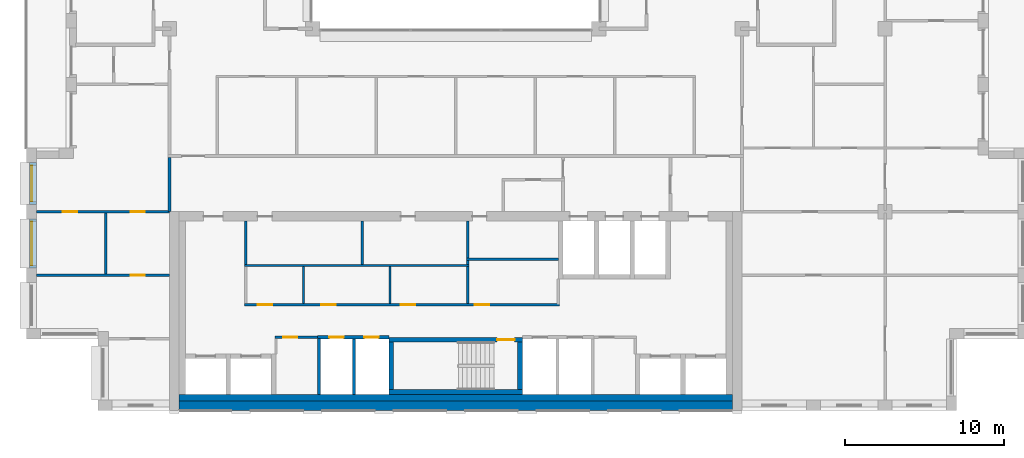
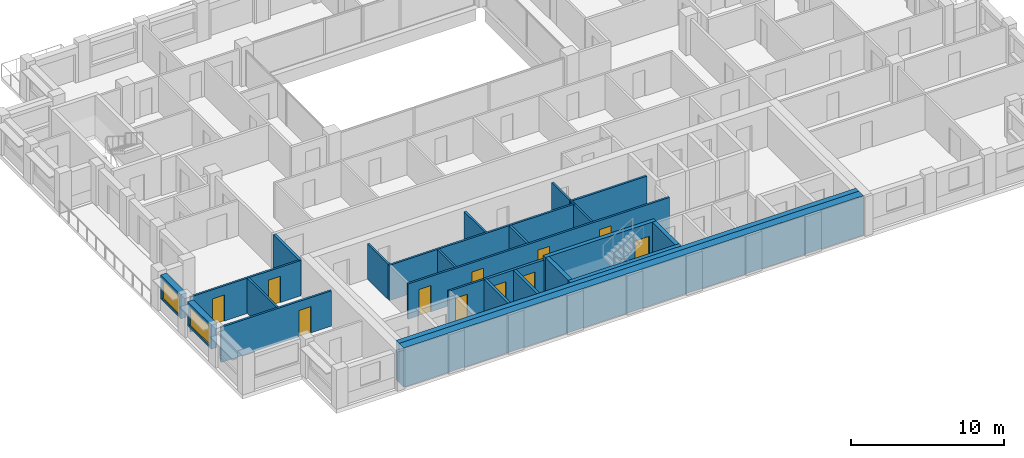
# One storey, part 8 of 15: 26 walls, 11 doors, 2 windows, 13 openings.
"""IFC4 building model written with IfcOpenShell, lengths in metres."""

from ifc_helpers import new_model, si_unit, direction, frame, frame_2d, origin, place, context, subcontext, project, spatial, rectangle, extrude, material, layer, layer_set, type_object, element, fill, save


model = new_model("IFC4")

# Units and contexts
model_context = context("Model", 3, precision=1e-05, world=origin(), true_north=direction((0.0, 1.0)))
body_context = subcontext(model_context, "Body", "Model", "MODEL_VIEW")
ifc_project = project(units=[si_unit("LENGTHUNIT", "METRE"), si_unit("AREAUNIT", "SQUARE_METRE"), si_unit("VOLUMEUNIT", "CUBIC_METRE"), si_unit("PLANEANGLEUNIT", "RADIAN"), si_unit("MASSUNIT", "GRAM", prefix="KILO")], contexts=[model_context])

# Site, building, storey
site_placement = place(None, origin())
site = spatial("IfcSite", under=ifc_project, at=site_placement, CompositionType="ELEMENT")
building_placement = place(site_placement, origin())
building = spatial("IfcBuilding", under=site, at=building_placement, Name="Brigalow Station Residences", CompositionType="ELEMENT")
storey_placement = place(building_placement, frame((0.0, 0.0, 213.75)))
storey = spatial("IfcBuildingStorey", under=building, at=storey_placement, Name="L61", CompositionType="ELEMENT", Elevation=213.75)

# Wall, opening, window
ifc_material_1 = material(Name="Clay brick masonry", Category="masonry")
ifc_layer_1 = layer(ifc_material_1, 0.449951171875)
ifc_layer_set_1 = layer_set([ifc_layer_1], Name="BRICK INFILL WALL 450")
wall_type_1 = type_object("IfcWallType", Name="BRICK INFILL WALL 450", PredefinedType="SOLIDWALL", material=ifc_layer_set_1)
wall_1_placement = place(storey_placement, frame((9.425048828125, 15.60009765625, 0.89990234375), z_axis=(0.0, 0.0, 1.0), x_axis=(0.0, -1.0, 0.0)))
wall_1 = element("IfcWall", 1, at=wall_1_placement, inside=storey, type_object=wall_type_1, Name="L61/ewall/W-L61-41", PredefinedType="SOLIDWALL", context=body_context, shape_type="SweptSolid", body=[
    extrude(rectangle(XDim=2.650146484375, YDim=0.449951171875, at=frame_2d((1.3251953125, 0.0))), origin(), (0.0, 0.0, 1.0), 1.93017578125),
])
opening_1_placement = place(wall_1_placement, frame((0.199951171875, 0.0, 0.14990234375)))
opening_1 = element("IfcOpeningElement", 2, at=opening_1_placement, cuts=wall_1, Name="Opening WT-6", PredefinedType="OPENING", context=body_context, shape_type="SweptSolid", body=[
    extrude(rectangle(XDim=2.25, YDim=1.5, at=frame_2d((1.125, 0.75))), frame((0.0, 0.23486328125, 0.0), z_axis=(0.0, -1.0, 0.0), x_axis=(1.0, 0.0, 0.0)), (0.0, 0.0, 1.0), 0.469970703125),
])
ifc_material_2 = material(Name="Anodised aluminium frame with double glazing", Category="aluminium")
window_type_1 = type_object("IfcWindowType", Name="WINDOW 2250x1500", PartitioningType="SINGLE_PANEL", PredefinedType="WINDOW", material=ifc_material_2)
window_1_placement = place(opening_1_placement, origin())
window_1 = element("IfcWindow", 3, at=window_1_placement, inside=storey, type_object=window_type_1, Name="L61/window/W-L61-41", OverallHeight=1.5, OverallWidth=2.25, PartitioningType="SINGLE_PANEL", PredefinedType="WINDOW", context=body_context, shape_type="SweptSolid", body=[
    extrude(rectangle(XDim=2.25, YDim=1.5, at=frame_2d((1.125, 0.75))), frame((0.0, -0.06494140625, 0.0), z_axis=(0.0, -1.0, 0.0), x_axis=(1.0, 0.0, 0.0)), (0.0, 0.0, 1.0), 0.06005859375),
])
fill(opening_1, window_1)

wall_2_placement = place(storey_placement, frame((9.425048828125, 12.050048828125, 0.89990234375), z_axis=(0.0, 0.0, 1.0), x_axis=(0.0, -1.0, 0.0)))
wall_2 = element("IfcWall", 4, at=wall_2_placement, inside=storey, type_object=wall_type_1, Name="L61/ewall/W-L61-42", PredefinedType="SOLIDWALL", context=body_context, shape_type="SweptSolid", body=[
    extrude(rectangle(XDim=3.10009765625, YDim=0.449951171875, at=frame_2d((1.550048828125, 0.0))), origin(), (0.0, 0.0, 1.0), 1.93017578125),
])
opening_2_placement = place(wall_2_placement, frame((0.175048828125, 0.0, 0.14990234375)))
opening_2 = element("IfcOpeningElement", 5, at=opening_2_placement, cuts=wall_2, Name="Opening WT-3", PredefinedType="OPENING", context=body_context, shape_type="SweptSolid", body=[
    extrude(rectangle(XDim=2.75, YDim=1.5, at=frame_2d((1.375, 0.75))), frame((0.0, 0.23486328125, 0.0), z_axis=(0.0, -1.0, 0.0), x_axis=(1.0, 0.0, 0.0)), (0.0, 0.0, 1.0), 0.469970703125),
])
ifc_material_3 = material(Name="Anodised aluminium frame with double glazing", Category="aluminium")
window_type_2 = type_object("IfcWindowType", Name="WINDOW 2750x1500", PartitioningType="SINGLE_PANEL", PredefinedType="WINDOW", material=ifc_material_3)
window_2_placement = place(opening_2_placement, origin())
window_2 = element("IfcWindow", 6, at=window_2_placement, inside=storey, type_object=window_type_2, Name="L61/window/W-L61-42", OverallHeight=1.5, OverallWidth=2.75, PartitioningType="SINGLE_PANEL", PredefinedType="WINDOW", context=body_context, shape_type="SweptSolid", body=[
    extrude(rectangle(XDim=2.75, YDim=1.5, at=frame_2d((1.375, 0.75))), frame((0.0, -0.06494140625, 0.0), z_axis=(0.0, -1.0, 0.0), x_axis=(1.0, 0.0, 0.0)), (0.0, 0.0, 1.0), 0.06005859375),
])
fill(opening_2, window_2)

# Wall
ifc_material_4 = material(Name="Concrete C50", Category="concrete")
ifc_layer_2 = layer(ifc_material_4, 0.300048828125)
ifc_layer_set_2 = layer_set([ifc_layer_2], Name="CORE SHEAR WALL 300 C50")
wall_type_2 = type_object("IfcWallType", Name="CORE SHEAR WALL 300 C50", PredefinedType="SHEAR", material=ifc_layer_set_2)
wall_3_placement = place(storey_placement, frame((31.800048828125, 1.14990234375, 0.0), z_axis=(0.0, 0.0, 1.0), x_axis=(1.0, 0.0, 0.0)))
element("IfcWall", 7, at=wall_3_placement, inside=storey, type_object=wall_type_2, Name="CORE WALL ST-S2-S L61", PredefinedType="SHEAR", context=body_context, shape_type="SweptSolid", body=[
    extrude(rectangle(XDim=8.39990234375, YDim=0.300048828125, at=frame_2d((4.199951171875, 0.0))), origin(), (0.0, 0.0, 1.0), 3.14990234375),
])

# Wall, opening, door
wall_4_placement = place(storey_placement, frame((31.800048828125, 4.449951171875, 0.0), z_axis=(0.0, 0.0, 1.0), x_axis=(1.0, 0.0, 0.0)))
wall_4 = element("IfcWall", 8, at=wall_4_placement, inside=storey, type_object=wall_type_2, Name="CORE WALL ST-S2-N L61", PredefinedType="SHEAR", context=body_context, shape_type="SweptSolid", body=[
    extrude(rectangle(XDim=8.39990234375, YDim=0.300048828125, at=frame_2d((4.199951171875, 0.0))), origin(), (0.0, 0.0, 1.0), 3.14990234375),
])
opening_3_placement = place(wall_4_placement, frame((6.800048828125, 0.0, 0.0)))
opening_3 = element("IfcOpeningElement", 9, at=opening_3_placement, cuts=wall_4, Name="Opening D-5001", PredefinedType="OPENING", context=body_context, shape_type="SweptSolid", body=[
    extrude(rectangle(XDim=1.10009765625, YDim=2.10009765625, at=frame_2d((0.550048828125, 1.050048828125))), frame((0.0, 0.16015625, 0.0), z_axis=(0.0, -1.0, 0.0), x_axis=(1.0, 0.0, 0.0)), (0.0, 0.0, 1.0), 0.320068359375),
])
ifc_material_5 = material(Name="Steel fire door leaf in steel frame", Category="steel")
door_type_1 = type_object("IfcDoorType", Name="STAIR DOOR 1100 x 2100 FD60S", OperationType="SINGLE_SWING_LEFT", PredefinedType="DOOR", material=ifc_material_5)
door_1_placement = place(opening_3_placement, frame((1.10009765625, 0.0, 0.0), z_axis=(0.0, 0.0, 1.0), x_axis=(-1.0, 0.0, 0.0)))
door_1 = element("IfcDoor", 10, at=door_1_placement, inside=storey, type_object=door_type_1, Name="D-5001", OperationType="SINGLE_SWING_LEFT", OverallHeight=2.10009765625, OverallWidth=1.10009765625, PredefinedType="DOOR", context=body_context, shape_type="SweptSolid", body=[
    extrude(rectangle(XDim=1.10009765625, YDim=2.10009765625, at=frame_2d((0.550048828125, 1.050048828125))), frame((0.0, 0.02490234375, 0.0), z_axis=(0.0, -1.0, 0.0), x_axis=(1.0, 0.0, 0.0)), (0.0, 0.0, 1.0), 0.050048828125),
])
fill(opening_3, door_1)

# Walls
for number, where, z_axis, x_axis, name in (
    (11, (31.949951171875, 1.300048828125, 0.0), (0.0, 0.0, 1.0), (0.0, 1.0, 0.0), "CORE WALL ST-S2-W L61"),
    (12, (40.050048828125, 1.300048828125, 0.0), (0.0, 0.0, 1.0), (0.0, 1.0, 0.0), "CORE WALL ST-S2-E L61"),
):
    element("IfcWall", number, at=place(storey_placement, frame(where, z_axis=z_axis, x_axis=x_axis)), inside=storey, type_object=wall_type_2, Name=name, PredefinedType="SHEAR", context=body_context, shape_type="SweptSolid", body=[
        extrude(rectangle(XDim=3.0, YDim=0.300048828125, at=frame_2d((1.5, 0.0))), origin(), (0.0, 0.0, 1.0), 3.14990234375),
    ])
ifc_material_6 = material(Name="Concrete C50", Category="concrete")
ifc_layer_3 = layer(ifc_material_6, 0.39990234375)
ifc_layer_set_3 = layer_set([ifc_layer_3], Name="CORE SHEAR WALL 400 C50")
wall_type_3 = type_object("IfcWallType", Name="CORE SHEAR WALL 400 C50", PredefinedType="SHEAR", material=ifc_layer_set_3)
wall_5_placement = place(storey_placement, frame((18.60009765625, 0.800048828125, 0.0), z_axis=(0.0, 0.0, 1.0), x_axis=(1.0, 0.0, 0.0)))
element("IfcWall", 13, at=wall_5_placement, inside=storey, type_object=wall_type_3, Name="CORE WALL LIN-S L61", PredefinedType="SHEAR", context=body_context, shape_type="SweptSolid", body=[
    extrude(rectangle(XDim=34.7998046875, YDim=0.39990234375, at=frame_2d((17.39990234375, 0.0))), origin(), (0.0, 0.0, 1.0), 3.14990234375),
])
ifc_material_7 = material(Name="Concrete C50", Category="concrete")
ifc_layer_4 = layer(ifc_material_7, 0.60009765625)
ifc_layer_set_4 = layer_set([ifc_layer_4], Name="CORE SHEAR WALL 600 C50")
wall_type_4 = type_object("IfcWallType", Name="CORE SHEAR WALL 600 C50", PredefinedType="SHEAR", material=ifc_layer_set_4)
wall_6_placement = place(storey_placement, frame((18.60009765625, 0.300048828125, 0.0), z_axis=(0.0, 0.0, 1.0), x_axis=(1.0, 0.0, 0.0)))
element("IfcWall", 14, at=wall_6_placement, inside=storey, type_object=wall_type_4, Name="CORE WALL OUT-S L61", PredefinedType="SHEAR", context=body_context, shape_type="SweptSolid", body=[
    extrude(rectangle(XDim=34.7998046875, YDim=0.60009765625, at=frame_2d((17.39990234375, 0.0))), origin(), (0.0, 0.0, 1.0), 3.14990234375),
])

# Wall, openings, doors
ifc_material_8 = material(Name="Concrete blockwork", Category="masonry")
ifc_layer_5 = layer(ifc_material_8, 0.199951171875)
ifc_layer_set_5 = layer_set([ifc_layer_5], Name="FIRE RATED CORE PARTITION 200")
wall_type_5 = type_object("IfcWallType", Name="FIRE RATED CORE PARTITION 200", PredefinedType="PARTITIONING", material=ifc_layer_set_5)
wall_7_placement = place(storey_placement, frame((27.300048828125, 4.60009765625, 0.0), z_axis=(0.0, 0.0, 1.0), x_axis=(1.0, 0.0, 0.0)))
wall_7 = element("IfcWall", 15, at=wall_7_placement, inside=storey, type_object=wall_type_5, Name="PW-5017", PredefinedType="PARTITIONING", context=body_context, shape_type="SweptSolid", body=[
    extrude(rectangle(XDim=4.5, YDim=0.199951171875, at=frame_2d((2.25, 0.0))), origin(), (0.0, 0.0, 1.0), 2.830078125),
])
opening_4_placement = place(wall_7_placement, frame((0.75, 0.0, 0.0)))
opening_4 = element("IfcOpeningElement", 16, at=opening_4_placement, cuts=wall_7, Name="Opening D-5007", PredefinedType="OPENING", context=body_context, shape_type="SweptSolid", body=[
    extrude(rectangle(XDim=0.89990234375, YDim=2.10009765625, at=frame_2d((0.449951171875, 1.050048828125))), frame((0.0, 0.10986328125, 0.0), z_axis=(0.0, -1.0, 0.0), x_axis=(1.0, 0.0, 0.0)), (0.0, 0.0, 1.0), 0.219970703125),
])
opening_5_placement = place(wall_7_placement, frame((2.949951171875, 0.0, 0.0)))
opening_5 = element("IfcOpeningElement", 17, at=opening_5_placement, cuts=wall_7, Name="Opening D-5008", PredefinedType="OPENING", context=body_context, shape_type="SweptSolid", body=[
    extrude(rectangle(XDim=0.89990234375, YDim=2.10009765625, at=frame_2d((0.449951171875, 1.050048828125))), frame((0.0, 0.10986328125, 0.0), z_axis=(0.0, -1.0, 0.0), x_axis=(1.0, 0.0, 0.0)), (0.0, 0.0, 1.0), 0.219970703125),
])
ifc_material_9 = material(Name="Steel fire door leaf in steel frame", Category="steel")
door_type_2 = type_object("IfcDoorType", Name="RISER ACCESS DOOR 900 x 2100 FD120", OperationType="SINGLE_SWING_LEFT", PredefinedType="DOOR", material=ifc_material_9)
door_2_placement = place(opening_4_placement, frame((0.89990234375, 0.0, 0.0), z_axis=(0.0, 0.0, 1.0), x_axis=(-1.0, 0.0, 0.0)))
door_2 = element("IfcDoor", 18, at=door_2_placement, inside=storey, type_object=door_type_2, Name="D-5007", OperationType="SINGLE_SWING_RIGHT", OverallHeight=2.10009765625, OverallWidth=0.89990234375, PredefinedType="DOOR", context=body_context, shape_type="SweptSolid", body=[
    extrude(rectangle(XDim=0.89990234375, YDim=2.10009765625, at=frame_2d((0.449951171875, 1.050048828125))), frame((0.0, 0.02490234375, 0.0), z_axis=(0.0, -1.0, 0.0), x_axis=(1.0, 0.0, 0.0)), (0.0, 0.0, 1.0), 0.050048828125),
])
fill(opening_4, door_2)
door_3_placement = place(opening_5_placement, frame((0.89990234375, 0.0, 0.0), z_axis=(0.0, 0.0, 1.0), x_axis=(-1.0, 0.0, 0.0)))
door_3 = element("IfcDoor", 19, at=door_3_placement, inside=storey, type_object=door_type_2, Name="D-5008", OperationType="SINGLE_SWING_RIGHT", OverallHeight=2.10009765625, OverallWidth=0.89990234375, PredefinedType="DOOR", context=body_context, shape_type="SweptSolid", body=[
    extrude(rectangle(XDim=0.89990234375, YDim=2.10009765625, at=frame_2d((0.449951171875, 1.050048828125))), frame((0.0, 0.02490234375, 0.0), z_axis=(0.0, -1.0, 0.0), x_axis=(1.0, 0.0, 0.0)), (0.0, 0.0, 1.0), 0.050048828125),
])
fill(opening_5, door_3)

# Walls
wall_8_placement = place(storey_placement, frame((27.39990234375, 1.0, 0.0), z_axis=(0.0, 0.0, 1.0), x_axis=(0.0, 1.0, 0.0)))
element("IfcWall", 20, at=wall_8_placement, inside=storey, type_object=wall_type_5, Name="PW-5027", PredefinedType="PARTITIONING", context=body_context, shape_type="SweptSolid", body=[
    extrude(rectangle(XDim=3.52490234375, YDim=0.199951171875, at=frame_2d((1.762451171875, 0.0))), origin(), (0.0, 0.0, 1.0), 2.830078125),
])
wall_9_placement = place(storey_placement, frame((29.60009765625, 1.0, 0.0), z_axis=(0.0, 0.0, 1.0), x_axis=(0.0, 1.0, 0.0)))
element("IfcWall", 21, at=wall_9_placement, inside=storey, type_object=wall_type_5, Name="PW-5006", PredefinedType="PARTITIONING", context=body_context, shape_type="SweptSolid", body=[
    extrude(rectangle(XDim=3.5, YDim=0.199951171875, at=frame_2d((1.75, 0.0))), origin(), (0.0, 0.0, 1.0), 2.830078125),
])
wall_10_placement = place(storey_placement, frame((18.0, 12.5, 0.0), z_axis=(0.0, 0.0, 1.0), x_axis=(0.0, 1.0, 0.0)))
element("IfcWall", 22, at=wall_10_placement, inside=storey, type_object=wall_type_5, Name="PW-5013", PredefinedType="PARTITIONING", context=body_context, shape_type="SweptSolid", body=[
    extrude(rectangle(XDim=3.39990234375, YDim=0.199951171875, at=frame_2d((1.699951171875, 0.0))), origin(), (0.0, 0.0, 1.0), 2.830078125),
])

# Wall, openings, doors
ifc_material_10 = material(Name="Plasterboard on steel stud partition", Category="steel")
ifc_layer_6 = layer(ifc_material_10, 0.14990234375)
ifc_layer_set_6 = layer_set([ifc_layer_6], Name="FLAT PARTITION 150")
wall_type_6 = type_object("IfcWallType", Name="FLAT PARTITION 150", PredefinedType="PARTITIONING", material=ifc_layer_set_6)
wall_11_placement = place(storey_placement, frame((9.64990234375, 12.5, 0.0), z_axis=(0.0, 0.0, 1.0), x_axis=(1.0, 0.0, 0.0)))
wall_11 = element("IfcWall", 23, at=wall_11_placement, inside=storey, type_object=wall_type_6, Name="PW-4B10", PredefinedType="PARTITIONING", context=body_context, shape_type="SweptSolid", body=[
    extrude(rectangle(XDim=8.35009765625, YDim=0.14990234375, at=frame_2d((4.175048828125, 0.0))), origin(), (0.0, 0.0, 1.0), 2.830078125),
])
opening_6_placement = place(wall_11_placement, frame((1.64990234375, 0.0, 0.0)))
opening_6 = element("IfcOpeningElement", 24, at=opening_6_placement, cuts=wall_11, Name="Opening D-4B06", PredefinedType="OPENING", context=body_context, shape_type="SweptSolid", body=[
    extrude(rectangle(XDim=0.89990234375, YDim=2.10009765625, at=frame_2d((0.449951171875, 1.050048828125))), frame((0.0, 0.0849609375, 0.0), z_axis=(0.0, -1.0, 0.0), x_axis=(1.0, 0.0, 0.0)), (0.0, 0.0, 1.0), 0.169921875),
])
opening_7_placement = place(wall_11_placement, frame((5.89990234375, 0.0, 0.0)))
opening_7 = element("IfcOpeningElement", 25, at=opening_7_placement, cuts=wall_11, Name="Opening D-4B07", PredefinedType="OPENING", context=body_context, shape_type="SweptSolid", body=[
    extrude(rectangle(XDim=0.89990234375, YDim=2.10009765625, at=frame_2d((0.449951171875, 1.050048828125))), frame((0.0, 0.0849609375, 0.0), z_axis=(0.0, -1.0, 0.0), x_axis=(1.0, 0.0, 0.0)), (0.0, 0.0, 1.0), 0.169921875),
])
ifc_material_11 = material(Name="Solid-core timber door leaf", Category="wood")
door_type_3 = type_object("IfcDoorType", Name="INTERNAL DOOR 900 x 2100", OperationType="SINGLE_SWING_LEFT", PredefinedType="DOOR", material=ifc_material_11)
door_4_placement = place(opening_6_placement, frame((0.89990234375, 0.0, 0.0), z_axis=(0.0, 0.0, 1.0), x_axis=(-1.0, 0.0, 0.0)))
door_4 = element("IfcDoor", 26, at=door_4_placement, inside=storey, type_object=door_type_3, Name="D-4B06", OperationType="SINGLE_SWING_RIGHT", OverallHeight=2.10009765625, OverallWidth=0.89990234375, PredefinedType="DOOR", context=body_context, shape_type="SweptSolid", body=[
    extrude(rectangle(XDim=0.89990234375, YDim=2.10009765625, at=frame_2d((0.449951171875, 1.050048828125))), frame((0.0, 0.02490234375, 0.0), z_axis=(0.0, -1.0, 0.0), x_axis=(1.0, 0.0, 0.0)), (0.0, 0.0, 1.0), 0.050048828125),
])
fill(opening_6, door_4)
door_5_placement = place(opening_7_placement, origin())
door_5 = element("IfcDoor", 27, at=door_5_placement, inside=storey, type_object=door_type_3, Name="D-4B07", OperationType="SINGLE_SWING_RIGHT", OverallHeight=2.10009765625, OverallWidth=0.89990234375, PredefinedType="DOOR", context=body_context, shape_type="SweptSolid", body=[
    extrude(rectangle(XDim=0.89990234375, YDim=2.10009765625, at=frame_2d((0.449951171875, 1.050048828125))), frame((0.0, 0.02490234375, 0.0), z_axis=(0.0, -1.0, 0.0), x_axis=(1.0, 0.0, 0.0)), (0.0, 0.0, 1.0), 0.050048828125),
])
fill(opening_7, door_5)

# Wall, opening, door
wall_12_placement = place(storey_placement, frame((9.64990234375, 8.5, 0.0), z_axis=(0.0, 0.0, 1.0), x_axis=(1.0, 0.0, 0.0)))
wall_12 = element("IfcWall", 28, at=wall_12_placement, inside=storey, type_object=wall_type_6, Name="PW-4B12", PredefinedType="PARTITIONING", context=body_context, shape_type="SweptSolid", body=[
    extrude(rectangle(XDim=8.35009765625, YDim=0.14990234375, at=frame_2d((4.175048828125, 0.0))), origin(), (0.0, 0.0, 1.0), 2.830078125),
])
opening_8_placement = place(wall_12_placement, frame((5.89990234375, 0.0, 0.0)))
opening_8 = element("IfcOpeningElement", 29, at=opening_8_placement, cuts=wall_12, Name="Opening D-4B08", PredefinedType="OPENING", context=body_context, shape_type="SweptSolid", body=[
    extrude(rectangle(XDim=0.89990234375, YDim=2.10009765625, at=frame_2d((0.449951171875, 1.050048828125))), frame((0.0, 0.0849609375, 0.0), z_axis=(0.0, -1.0, 0.0), x_axis=(1.0, 0.0, 0.0)), (0.0, 0.0, 1.0), 0.169921875),
])
door_6_placement = place(opening_8_placement, frame((0.89990234375, 0.0, 0.0), z_axis=(0.0, 0.0, 1.0), x_axis=(-1.0, 0.0, 0.0)))
door_6 = element("IfcDoor", 30, at=door_6_placement, inside=storey, type_object=door_type_3, Name="D-4B08", OperationType="SINGLE_SWING_LEFT", OverallHeight=2.10009765625, OverallWidth=0.89990234375, PredefinedType="DOOR", context=body_context, shape_type="SweptSolid", body=[
    extrude(rectangle(XDim=0.89990234375, YDim=2.10009765625, at=frame_2d((0.449951171875, 1.050048828125))), frame((0.0, 0.02490234375, 0.0), z_axis=(0.0, -1.0, 0.0), x_axis=(1.0, 0.0, 0.0)), (0.0, 0.0, 1.0), 0.050048828125),
])
fill(opening_8, door_6)

# Wall
wall_13_placement = place(storey_placement, frame((14.0, 8.574951171875, 0.0), z_axis=(0.0, 0.0, 1.0), x_axis=(0.0, 1.0, 0.0)))
element("IfcWall", 31, at=wall_13_placement, inside=storey, type_object=wall_type_6, Name="PW-4B38", PredefinedType="PARTITIONING", context=body_context, shape_type="SweptSolid", body=[
    extrude(rectangle(XDim=3.85009765625, YDim=0.14990234375, at=frame_2d((1.925048828125, 0.0))), origin(), (0.0, 0.0, 1.0), 2.830078125),
])

# Wall, opening, door
ifc_material_12 = material(Name="Plasterboard on steel studs", Category="steel")
ifc_layer_7 = layer(ifc_material_12, 0.14990234375)
ifc_layer_set_7 = layer_set([ifc_layer_7], Name="SERVICE ROOM PARTITION 150")
wall_type_7 = type_object("IfcWallType", Name="SERVICE ROOM PARTITION 150", PredefinedType="PARTITIONING", material=ifc_layer_set_7)
wall_14_placement = place(storey_placement, frame((24.625, 4.60009765625, 0.0), z_axis=(0.0, 0.0, 1.0), x_axis=(1.0, 0.0, 0.0)))
wall_14 = element("IfcWall", 32, at=wall_14_placement, inside=storey, type_object=wall_type_7, Name="PW-5155", PredefinedType="PARTITIONING", context=body_context, shape_type="SweptSolid", body=[
    extrude(rectangle(XDim=2.675048828125, YDim=0.14990234375, at=frame_2d((1.33740234375, 0.0))), origin(), (0.0, 0.0, 1.0), 2.830078125),
])
opening_9_placement = place(wall_14_placement, frame((0.52490234375, 0.0, 0.0)))
opening_9 = element("IfcOpeningElement", 33, at=opening_9_placement, cuts=wall_14, Name="Opening D-5087", PredefinedType="OPENING", context=body_context, shape_type="SweptSolid", body=[
    extrude(rectangle(XDim=0.89990234375, YDim=2.10009765625, at=frame_2d((0.449951171875, 1.050048828125))), frame((0.0, 0.0849609375, 0.0), z_axis=(0.0, -1.0, 0.0), x_axis=(1.0, 0.0, 0.0)), (0.0, 0.0, 1.0), 0.169921875),
])
ifc_material_13 = material(Name="Steel door leaf in steel frame", Category="steel")
door_type_4 = type_object("IfcDoorType", Name="SERVICE ROOM DOOR 900 x 2100 FD60", OperationType="SINGLE_SWING_LEFT", PredefinedType="DOOR", material=ifc_material_13)
door_7_placement = place(opening_9_placement, frame((0.89990234375, 0.0, 0.0), z_axis=(0.0, 0.0, 1.0), x_axis=(-1.0, 0.0, 0.0)))
door_7 = element("IfcDoor", 34, at=door_7_placement, inside=storey, type_object=door_type_4, Name="D-5087", OperationType="SINGLE_SWING_RIGHT", OverallHeight=2.10009765625, OverallWidth=0.89990234375, PredefinedType="DOOR", context=body_context, shape_type="SweptSolid", body=[
    extrude(rectangle(XDim=0.89990234375, YDim=2.10009765625, at=frame_2d((0.449951171875, 1.050048828125))), frame((0.0, 0.02490234375, 0.0), z_axis=(0.0, -1.0, 0.0), x_axis=(1.0, 0.0, 0.0)), (0.0, 0.0, 1.0), 0.050048828125),
])
fill(opening_9, door_7)

# Wall, openings, doors
wall_15_placement = place(storey_placement, frame((22.72509765625, 6.64990234375, 0.0), z_axis=(0.0, 0.0, 1.0), x_axis=(1.0, 0.0, 0.0)))
wall_15 = element("IfcWall", 35, at=wall_15_placement, inside=storey, type_object=wall_type_7, Name="PW-5195", PredefinedType="PARTITIONING", context=body_context, shape_type="SweptSolid", body=[
    extrude(rectangle(XDim=19.7998046875, YDim=0.14990234375, at=frame_2d((9.89990234375, 0.0))), origin(), (0.0, 0.0, 1.0), 2.830078125),
])
opening_10_placement = place(wall_15_placement, frame((0.824951171875, 0.0, 0.0)))
opening_10 = element("IfcOpeningElement", 36, at=opening_10_placement, cuts=wall_15, Name="Opening D-5110", PredefinedType="OPENING", context=body_context, shape_type="SweptSolid", body=[
    extrude(rectangle(XDim=0.89990234375, YDim=2.10009765625, at=frame_2d((0.449951171875, 1.050048828125))), frame((0.0, 0.0849609375, 0.0), z_axis=(0.0, -1.0, 0.0), x_axis=(1.0, 0.0, 0.0)), (0.0, 0.0, 1.0), 0.169921875),
])
opening_11_placement = place(wall_15_placement, frame((4.824951171875, 0.0, 0.0)))
opening_11 = element("IfcOpeningElement", 37, at=opening_11_placement, cuts=wall_15, Name="Opening D-5116", PredefinedType="OPENING", context=body_context, shape_type="SweptSolid", body=[
    extrude(rectangle(XDim=0.89990234375, YDim=2.10009765625, at=frame_2d((0.449951171875, 1.050048828125))), frame((0.0, 0.0849609375, 0.0), z_axis=(0.0, -1.0, 0.0), x_axis=(1.0, 0.0, 0.0)), (0.0, 0.0, 1.0), 0.169921875),
])
opening_12_placement = place(wall_15_placement, frame((9.824951171875, 0.0, 0.0)))
opening_12 = element("IfcOpeningElement", 38, at=opening_12_placement, cuts=wall_15, Name="Opening D-5117", PredefinedType="OPENING", context=body_context, shape_type="SweptSolid", body=[
    extrude(rectangle(XDim=0.89990234375, YDim=2.10009765625, at=frame_2d((0.449951171875, 1.050048828125))), frame((0.0, 0.0849609375, 0.0), z_axis=(0.0, -1.0, 0.0), x_axis=(1.0, 0.0, 0.0)), (0.0, 0.0, 1.0), 0.169921875),
])
opening_13_placement = place(wall_15_placement, frame((14.47509765625, 0.0, 0.0)))
opening_13 = element("IfcOpeningElement", 39, at=opening_13_placement, cuts=wall_15, Name="Opening D-5114", PredefinedType="OPENING", context=body_context, shape_type="SweptSolid", body=[
    extrude(rectangle(XDim=0.89990234375, YDim=2.10009765625, at=frame_2d((0.449951171875, 1.050048828125))), frame((0.0, 0.0849609375, 0.0), z_axis=(0.0, -1.0, 0.0), x_axis=(1.0, 0.0, 0.0)), (0.0, 0.0, 1.0), 0.169921875),
])
door_8_placement = place(opening_10_placement, origin())
door_8 = element("IfcDoor", 40, at=door_8_placement, inside=storey, type_object=door_type_4, Name="D-5110", OperationType="SINGLE_SWING_LEFT", OverallHeight=2.10009765625, OverallWidth=0.89990234375, PredefinedType="DOOR", context=body_context, shape_type="SweptSolid", body=[
    extrude(rectangle(XDim=0.89990234375, YDim=2.10009765625, at=frame_2d((0.449951171875, 1.050048828125))), frame((0.0, 0.02490234375, 0.0), z_axis=(0.0, -1.0, 0.0), x_axis=(1.0, 0.0, 0.0)), (0.0, 0.0, 1.0), 0.050048828125),
])
fill(opening_10, door_8)
door_9_placement = place(opening_11_placement, origin())
door_9 = element("IfcDoor", 41, at=door_9_placement, inside=storey, type_object=door_type_4, Name="D-5116", OperationType="SINGLE_SWING_LEFT", OverallHeight=2.10009765625, OverallWidth=0.89990234375, PredefinedType="DOOR", context=body_context, shape_type="SweptSolid", body=[
    extrude(rectangle(XDim=0.89990234375, YDim=2.10009765625, at=frame_2d((0.449951171875, 1.050048828125))), frame((0.0, 0.02490234375, 0.0), z_axis=(0.0, -1.0, 0.0), x_axis=(1.0, 0.0, 0.0)), (0.0, 0.0, 1.0), 0.050048828125),
])
fill(opening_11, door_9)
door_10_placement = place(opening_12_placement, origin())
door_10 = element("IfcDoor", 42, at=door_10_placement, inside=storey, type_object=door_type_4, Name="D-5117", OperationType="SINGLE_SWING_LEFT", OverallHeight=2.10009765625, OverallWidth=0.89990234375, PredefinedType="DOOR", context=body_context, shape_type="SweptSolid", body=[
    extrude(rectangle(XDim=0.89990234375, YDim=2.10009765625, at=frame_2d((0.449951171875, 1.050048828125))), frame((0.0, 0.02490234375, 0.0), z_axis=(0.0, -1.0, 0.0), x_axis=(1.0, 0.0, 0.0)), (0.0, 0.0, 1.0), 0.050048828125),
])
fill(opening_12, door_10)
door_11_placement = place(opening_13_placement, origin())
door_11 = element("IfcDoor", 43, at=door_11_placement, inside=storey, type_object=door_type_4, Name="D-5114", OperationType="SINGLE_SWING_LEFT", OverallHeight=2.10009765625, OverallWidth=0.89990234375, PredefinedType="DOOR", context=body_context, shape_type="SweptSolid", body=[
    extrude(rectangle(XDim=0.89990234375, YDim=2.10009765625, at=frame_2d((0.449951171875, 1.050048828125))), frame((0.0, 0.02490234375, 0.0), z_axis=(0.0, -1.0, 0.0), x_axis=(1.0, 0.0, 0.0)), (0.0, 0.0, 1.0), 0.050048828125),
])
fill(opening_13, door_11)

# Walls
wall_16_placement = place(storey_placement, frame((22.72509765625, 9.110107421875, 0.0), z_axis=(0.0, 0.0, 1.0), x_axis=(1.0, 0.0, 0.0)))
element("IfcWall", 44, at=wall_16_placement, inside=storey, type_object=wall_type_7, Name="PW-5214", PredefinedType="PARTITIONING", context=body_context, shape_type="SweptSolid", body=[
    extrude(rectangle(XDim=14.099853515625, YDim=0.14990234375, at=frame_2d((7.0498046875, 0.0))), origin(), (0.0, 0.0, 1.0), 2.830078125),
])
wall_17_placement = place(storey_placement, frame((36.675048828125, 9.5, 0.0), z_axis=(0.0, 0.0, 1.0), x_axis=(1.0, 0.0, 0.0)))
element("IfcWall", 45, at=wall_17_placement, inside=storey, type_object=wall_type_7, Name="PW-5215", PredefinedType="PARTITIONING", context=body_context, shape_type="SweptSolid", body=[
    extrude(rectangle(XDim=5.77490234375, YDim=0.14990234375, at=frame_2d((2.887451171875, 0.0))), origin(), (0.0, 0.0, 1.0), 2.830078125),
])
for number, where, z_axis, x_axis, name in (
    (46, (26.429931640625, 6.72509765625, 0.0), (0.0, 0.0, 1.0), (0.0, 1.0, 0.0), "PW-5217"),
    (47, (31.8701171875, 6.72509765625, 0.0), (0.0, 0.0, 1.0), (0.0, 1.0, 0.0), "PW-5218"),
    (48, (36.75, 6.72509765625, 0.0), (0.0, 0.0, 1.0), (0.0, 1.0, 0.0), "PW-5219"),
):
    element("IfcWall", number, at=place(storey_placement, frame(where, z_axis=z_axis, x_axis=x_axis)), inside=storey, type_object=wall_type_7, Name=name, PredefinedType="PARTITIONING", context=body_context, shape_type="SweptSolid", body=[
        extrude(rectangle(XDim=2.309814453125, YDim=0.14990234375, at=frame_2d((1.15478515625, 0.0))), origin(), (0.0, 0.0, 1.0), 2.830078125),
    ])
for number, where, z_axis, x_axis, name in (
    (49, (22.800048828125, 9.18505859375, 0.0), (0.0, 0.0, 1.0), (0.0, 1.0, 0.0), "PW-5220"),
    (50, (30.1201171875, 9.18505859375, 0.0), (0.0, 0.0, 1.0), (0.0, 1.0, 0.0), "PW-5221"),
):
    element("IfcWall", number, at=place(storey_placement, frame(where, z_axis=z_axis, x_axis=x_axis)), inside=storey, type_object=wall_type_7, Name=name, PredefinedType="PARTITIONING", context=body_context, shape_type="SweptSolid", body=[
        extrude(rectangle(XDim=2.71484375, YDim=0.14990234375, at=frame_2d((1.357421875, 0.0))), origin(), (0.0, 0.0, 1.0), 2.830078125),
    ])
wall_18_placement = place(storey_placement, frame((36.75, 9.18505859375, 0.0), z_axis=(0.0, 0.0, 1.0), x_axis=(0.0, 1.0, 0.0)))
element("IfcWall", 51, at=wall_18_placement, inside=storey, type_object=wall_type_7, Name="PW-5222", PredefinedType="PARTITIONING", context=body_context, shape_type="SweptSolid", body=[
    extrude(rectangle(XDim=0.239990234375, YDim=0.14990234375, at=frame_2d((0.1201171875, 0.0))), origin(), (0.0, 0.0, 1.0), 2.830078125),
])
wall_19_placement = place(storey_placement, frame((36.75, 9.574951171875, 0.0), z_axis=(0.0, 0.0, 1.0), x_axis=(0.0, 1.0, 0.0)))
element("IfcWall", 52, at=wall_19_placement, inside=storey, type_object=wall_type_7, Name="PW-5223", PredefinedType="PARTITIONING", context=body_context, shape_type="SweptSolid", body=[
    extrude(rectangle(XDim=2.324951171875, YDim=0.14990234375, at=frame_2d((1.16259765625, 0.0))), origin(), (0.0, 0.0, 1.0), 2.830078125),
])

save(model, "model.ifc")
